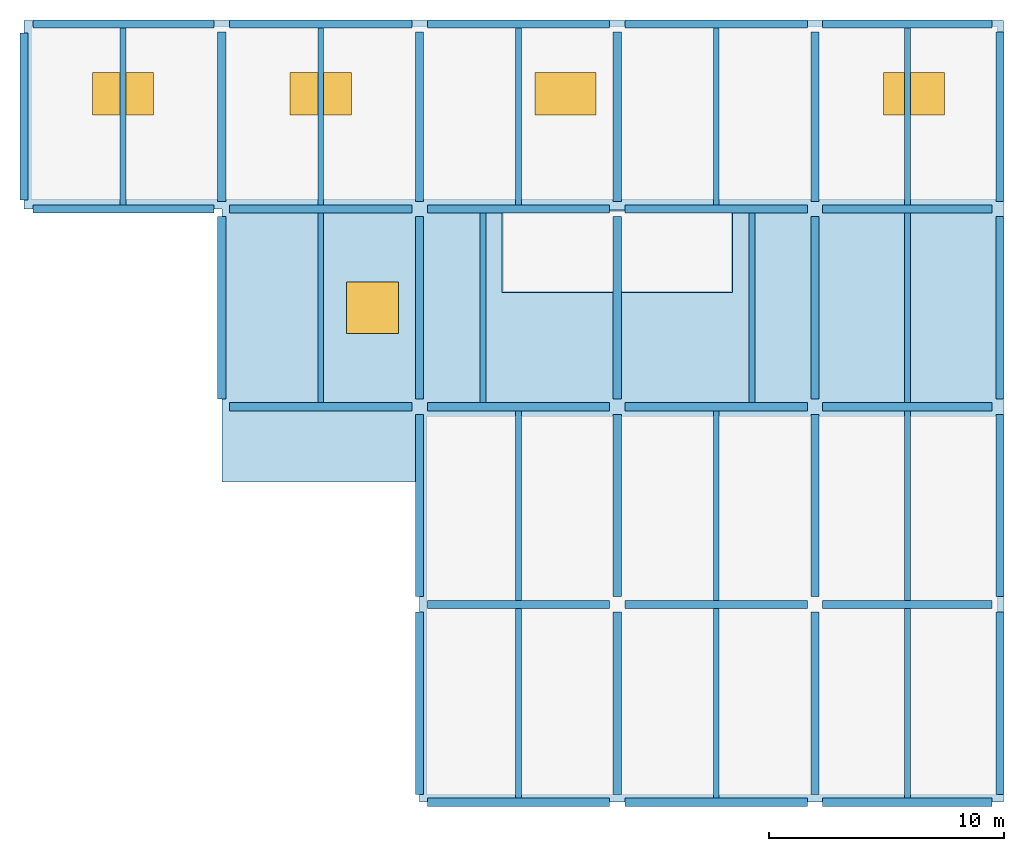
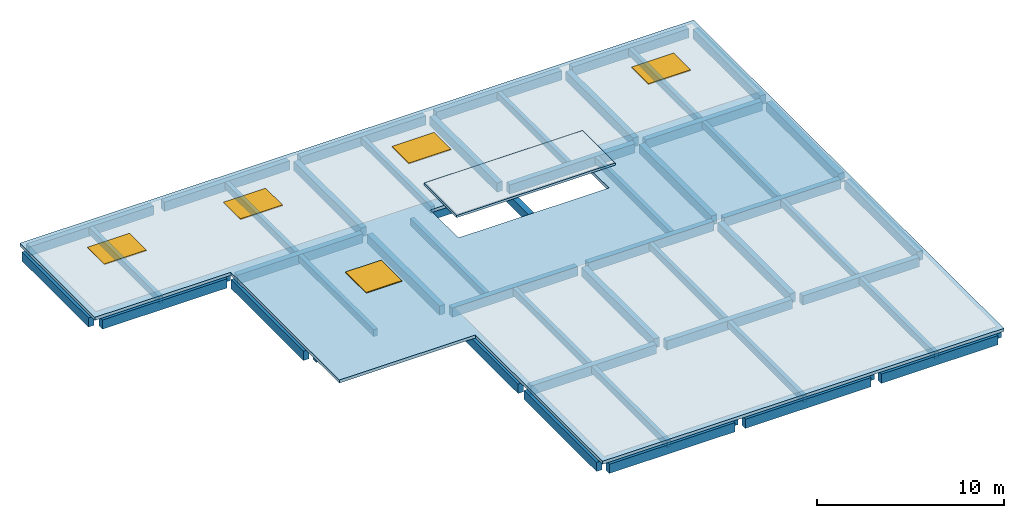
# One storey, part 1 of 2: 54 beams, 5 windows, 2 slabs, 5 openings, 1 element without a shape of its own.
"""IFC4 building model written with IfcOpenShell, lengths in metres."""

from ifc_helpers import new_model, si_unit, direction, frame, origin, origin_2d, place, context, subcontext, project, spatial, polyline, rectangle, outline, extrude, material, layer, layer_set, material_profile, profile_set, type_object, element, fill, aggregate, save


model = new_model("IFC4")

# Units and contexts
model_context = context("Model", 3, precision=1e-05, world=origin(), true_north=direction((0.0, 1.0)))
body_context = subcontext(model_context, "Body", "Model", "MODEL_VIEW")
ifc_project = project(units=[si_unit("LENGTHUNIT", "METRE"), si_unit("AREAUNIT", "SQUARE_METRE"), si_unit("VOLUMEUNIT", "CUBIC_METRE"), si_unit("PLANEANGLEUNIT", "RADIAN"), si_unit("MASSUNIT", "GRAM", prefix="KILO")], contexts=[model_context])

# Site, building, storey
site_placement = place(None, origin())
site = spatial("IfcSite", under=ifc_project, at=site_placement, CompositionType="ELEMENT")
building_placement = place(site_placement, origin())
building = spatial("IfcBuilding", under=site, at=building_placement, Name="Brinegate Botanical Conservatory", CompositionType="ELEMENT")
storey_placement = place(building_placement, frame((0.0, 0.0, 70.199951171875)))
storey = spatial("IfcBuildingStorey", under=building, at=storey_placement, Name="RF", CompositionType="ELEMENT", Elevation=70.199951171875)

# Beams
ifc_material_1 = material(Name="Concrete C40/50", Category="concrete")
ifc_material_profile_1 = material_profile(ifc_material_1, rectangle(XDim=0.35009765625, YDim=0.60009765625, at=origin_2d()), Name="RC BM 350x600")
ifc_profile_set_1 = profile_set([ifc_material_profile_1], Name="Concrete C40/50")
beam_type_1 = type_object("IfcBeamType", Name="Beam_BM-R1", PredefinedType="BEAM", material=ifc_profile_set_1)
for number, where, z_axis, x_axis, name in (
    (1, (139.125, 78.39990234375, -0.5), (1.0, 0.0, 0.0), (0.0, 1.0, 0.0), "Beam BM-R1 RF K:18-19"),
    (2, (147.52490234375, 78.39990234375, -0.5), (1.0, 0.0, 0.0), (0.0, 1.0, 0.0), "Beam BM-R1 RF K:19-20"),
):
    element("IfcBeam", number, at=place(storey_placement, frame(where, z_axis=z_axis, x_axis=x_axis)), inside=storey, type_object=beam_type_1, Name=name, PredefinedType="BEAM", context=body_context, shape_type="SweptSolid", body=[
        extrude(rectangle(XDim=0.35009765625, YDim=0.60009765625, at=origin_2d()), origin(), (0.0, 0.0, 1.0), 7.75),
    ])
beam_1_placement = place(storey_placement, frame((155.925048828125, 78.39990234375, -0.5), z_axis=(1.0, 0.0, 0.0), x_axis=(0.0, 1.0, 0.0)))
element("IfcBeam", 3, at=beam_1_placement, inside=storey, type_object=beam_type_1, Name="Beam BM-R1 RF K:20-21", PredefinedType="BEAM", context=body_context, shape_type="SweptSolid", body=[
    extrude(rectangle(XDim=0.35009765625, YDim=0.60009765625, at=origin_2d()), origin(), (0.0, 0.0, 1.0), 7.199951171875),
])
for number, where, z_axis, x_axis, name in (
    (4, (139.125, 86.800048828125, -0.5), (1.0, 0.0, 0.0), (0.0, 1.0, 0.0), "Beam BM-R1 RF L:18-19"),
    (5, (147.52490234375, 86.800048828125, -0.5), (1.0, 0.0, 0.0), (0.0, 1.0, 0.0), "Beam BM-R1 RF L:19-20"),
):
    element("IfcBeam", number, at=place(storey_placement, frame(where, z_axis=z_axis, x_axis=x_axis)), inside=storey, type_object=beam_type_1, Name=name, PredefinedType="BEAM", context=body_context, shape_type="SweptSolid", body=[
        extrude(rectangle(XDim=0.35009765625, YDim=0.60009765625, at=origin_2d()), origin(), (0.0, 0.0, 1.0), 7.75),
    ])
beam_2_placement = place(storey_placement, frame((155.925048828125, 86.800048828125, -0.5), z_axis=(1.0, 0.0, 0.0), x_axis=(0.0, 1.0, 0.0)))
element("IfcBeam", 6, at=beam_2_placement, inside=storey, type_object=beam_type_1, Name="Beam BM-R1 RF L:20-21", PredefinedType="BEAM", context=body_context, shape_type="SweptSolid", body=[
    extrude(rectangle(XDim=0.35009765625, YDim=0.60009765625, at=origin_2d()), origin(), (0.0, 0.0, 1.0), 7.199951171875),
])
for number, where, z_axis, x_axis, name in (
    (7, (130.72509765625, 95.199951171875, -0.5), (1.0, 0.0, 0.0), (0.0, 1.0, 0.0), "Beam BM-R1 RF M:17-18"),
    (8, (139.125, 95.199951171875, -0.5), (1.0, 0.0, 0.0), (0.0, 1.0, 0.0), "Beam BM-R1 RF M:18-19"),
    (9, (147.52490234375, 95.199951171875, -0.5), (1.0, 0.0, 0.0), (0.0, 1.0, 0.0), "Beam BM-R1 RF M:19-20"),
):
    element("IfcBeam", number, at=place(storey_placement, frame(where, z_axis=z_axis, x_axis=x_axis)), inside=storey, type_object=beam_type_1, Name=name, PredefinedType="BEAM", context=body_context, shape_type="SweptSolid", body=[
        extrude(rectangle(XDim=0.35009765625, YDim=0.60009765625, at=origin_2d()), origin(), (0.0, 0.0, 1.0), 7.75),
    ])
beam_3_placement = place(storey_placement, frame((155.925048828125, 95.199951171875, -0.5), z_axis=(1.0, 0.0, 0.0), x_axis=(0.0, 1.0, 0.0)))
element("IfcBeam", 10, at=beam_3_placement, inside=storey, type_object=beam_type_1, Name="Beam BM-R1 RF M:20-21", PredefinedType="BEAM", context=body_context, shape_type="SweptSolid", body=[
    extrude(rectangle(XDim=0.35009765625, YDim=0.60009765625, at=origin_2d()), origin(), (0.0, 0.0, 1.0), 7.199951171875),
])
beam_4_placement = place(storey_placement, frame((122.375, 103.60009765625, -0.5), z_axis=(1.0, 0.0, 0.0), x_axis=(0.0, 1.0, 0.0)))
element("IfcBeam", 11, at=beam_4_placement, inside=storey, type_object=beam_type_1, Name="Beam BM-R1 RF N:16-17", PredefinedType="BEAM", context=body_context, shape_type="SweptSolid", body=[
    extrude(rectangle(XDim=0.35009765625, YDim=0.60009765625, at=origin_2d()), origin(), (0.0, 0.0, 1.0), 7.699951171875),
])
for number, where, z_axis, x_axis, name in (
    (12, (130.72509765625, 103.60009765625, -0.5), (1.0, 0.0, 0.0), (0.0, 1.0, 0.0), "Beam BM-R1 RF N:17-18"),
    (13, (139.125, 103.60009765625, -0.5), (1.0, 0.0, 0.0), (0.0, 1.0, 0.0), "Beam BM-R1 RF N:18-19"),
    (14, (147.52490234375, 103.60009765625, -0.5), (1.0, 0.0, 0.0), (0.0, 1.0, 0.0), "Beam BM-R1 RF N:19-20"),
):
    element("IfcBeam", number, at=place(storey_placement, frame(where, z_axis=z_axis, x_axis=x_axis)), inside=storey, type_object=beam_type_1, Name=name, PredefinedType="BEAM", context=body_context, shape_type="SweptSolid", body=[
        extrude(rectangle(XDim=0.35009765625, YDim=0.60009765625, at=origin_2d()), origin(), (0.0, 0.0, 1.0), 7.75),
    ])
beam_5_placement = place(storey_placement, frame((155.925048828125, 103.60009765625, -0.5), z_axis=(1.0, 0.0, 0.0), x_axis=(0.0, 1.0, 0.0)))
element("IfcBeam", 15, at=beam_5_placement, inside=storey, type_object=beam_type_1, Name="Beam BM-R1 RF N:20-21", PredefinedType="BEAM", context=body_context, shape_type="SweptSolid", body=[
    extrude(rectangle(XDim=0.35009765625, YDim=0.60009765625, at=origin_2d()), origin(), (0.0, 0.0, 1.0), 7.199951171875),
])
beam_6_placement = place(storey_placement, frame((122.375, 111.449951171875, -0.5), z_axis=(1.0, 0.0, 0.0), x_axis=(0.0, 1.0, 0.0)))
element("IfcBeam", 16, at=beam_6_placement, inside=storey, type_object=beam_type_1, Name="Beam BM-R1 RF P:16-17", PredefinedType="BEAM", context=body_context, shape_type="SweptSolid", body=[
    extrude(rectangle(XDim=0.35009765625, YDim=0.60009765625, at=origin_2d()), origin(), (0.0, 0.0, 1.0), 7.699951171875),
])
for number, where, z_axis, x_axis, name in (
    (17, (130.72509765625, 111.449951171875, -0.5), (1.0, 0.0, 0.0), (0.0, 1.0, 0.0), "Beam BM-R1 RF P:17-18"),
    (18, (139.125, 111.449951171875, -0.5), (1.0, 0.0, 0.0), (0.0, 1.0, 0.0), "Beam BM-R1 RF P:18-19"),
    (19, (147.52490234375, 111.449951171875, -0.5), (1.0, 0.0, 0.0), (0.0, 1.0, 0.0), "Beam BM-R1 RF P:19-20"),
):
    element("IfcBeam", number, at=place(storey_placement, frame(where, z_axis=z_axis, x_axis=x_axis)), inside=storey, type_object=beam_type_1, Name=name, PredefinedType="BEAM", context=body_context, shape_type="SweptSolid", body=[
        extrude(rectangle(XDim=0.35009765625, YDim=0.60009765625, at=origin_2d()), origin(), (0.0, 0.0, 1.0), 7.75),
    ])
beam_7_placement = place(storey_placement, frame((155.925048828125, 111.449951171875, -0.5), z_axis=(1.0, 0.0, 0.0), x_axis=(0.0, 1.0, 0.0)))
element("IfcBeam", 20, at=beam_7_placement, inside=storey, type_object=beam_type_1, Name="Beam BM-R1 RF P:20-21", PredefinedType="BEAM", context=body_context, shape_type="SweptSolid", body=[
    extrude(rectangle(XDim=0.35009765625, YDim=0.60009765625, at=origin_2d()), origin(), (0.0, 0.0, 1.0), 7.199951171875),
])
beam_8_placement = place(storey_placement, frame((122.0, 103.97509765625, -0.5), z_axis=(0.0, 1.0, 0.0), x_axis=(-1.0, 0.0, 0.0)))
element("IfcBeam", 21, at=beam_8_placement, inside=storey, type_object=beam_type_1, Name="Beam BM-R1 RF 16:N-P", PredefinedType="BEAM", context=body_context, shape_type="SweptSolid", body=[
    extrude(rectangle(XDim=0.35009765625, YDim=0.60009765625, at=origin_2d()), origin(), (0.0, 0.0, 1.0), 7.099853515625),
])
beam_9_placement = place(storey_placement, frame((130.39990234375, 95.52490234375, -0.5), z_axis=(0.0, 1.0, 0.0), x_axis=(-1.0, 0.0, 0.0)))
element("IfcBeam", 22, at=beam_9_placement, inside=storey, type_object=beam_type_1, Name="Beam BM-R1 RF 17:M-N", PredefinedType="BEAM", context=body_context, shape_type="SweptSolid", body=[
    extrude(rectangle(XDim=0.35009765625, YDim=0.60009765625, at=origin_2d()), origin(), (0.0, 0.0, 1.0), 7.75),
])
beam_10_placement = place(storey_placement, frame((130.39990234375, 103.925048828125, -0.5), z_axis=(0.0, 1.0, 0.0), x_axis=(-1.0, 0.0, 0.0)))
element("IfcBeam", 23, at=beam_10_placement, inside=storey, type_object=beam_type_1, Name="Beam BM-R1 RF 17:N-P", PredefinedType="BEAM", context=body_context, shape_type="SweptSolid", body=[
    extrude(rectangle(XDim=0.35009765625, YDim=0.60009765625, at=origin_2d()), origin(), (0.0, 0.0, 1.0), 7.199951171875),
])
for number, where, z_axis, x_axis, name in (
    (24, (138.800048828125, 78.72509765625, -0.5), (0.0, 1.0, 0.0), (-1.0, 0.0, 0.0), "Beam BM-R1 RF 18:K-L"),
    (25, (138.800048828125, 87.125, -0.5), (0.0, 1.0, 0.0), (-1.0, 0.0, 0.0), "Beam BM-R1 RF 18:L-M"),
    (26, (138.800048828125, 95.52490234375, -0.5), (0.0, 1.0, 0.0), (-1.0, 0.0, 0.0), "Beam BM-R1 RF 18:M-N"),
):
    element("IfcBeam", number, at=place(storey_placement, frame(where, z_axis=z_axis, x_axis=x_axis)), inside=storey, type_object=beam_type_1, Name=name, PredefinedType="BEAM", context=body_context, shape_type="SweptSolid", body=[
        extrude(rectangle(XDim=0.35009765625, YDim=0.60009765625, at=origin_2d()), origin(), (0.0, 0.0, 1.0), 7.75),
    ])
beam_11_placement = place(storey_placement, frame((138.800048828125, 103.925048828125, -0.5), z_axis=(0.0, 1.0, 0.0), x_axis=(-1.0, 0.0, 0.0)))
element("IfcBeam", 27, at=beam_11_placement, inside=storey, type_object=beam_type_1, Name="Beam BM-R1 RF 18:N-P", PredefinedType="BEAM", context=body_context, shape_type="SweptSolid", body=[
    extrude(rectangle(XDim=0.35009765625, YDim=0.60009765625, at=origin_2d()), origin(), (0.0, 0.0, 1.0), 7.199951171875),
])
for number, where, z_axis, x_axis, name in (
    (28, (147.199951171875, 78.72509765625, -0.5), (0.0, 1.0, 0.0), (-1.0, 0.0, 0.0), "Beam BM-R1 RF 19:K-L"),
    (29, (147.199951171875, 87.125, -0.5), (0.0, 1.0, 0.0), (-1.0, 0.0, 0.0), "Beam BM-R1 RF 19:L-M"),
    (30, (147.199951171875, 95.52490234375, -0.5), (0.0, 1.0, 0.0), (-1.0, 0.0, 0.0), "Beam BM-R1 RF 19:M-N"),
):
    element("IfcBeam", number, at=place(storey_placement, frame(where, z_axis=z_axis, x_axis=x_axis)), inside=storey, type_object=beam_type_1, Name=name, PredefinedType="BEAM", context=body_context, shape_type="SweptSolid", body=[
        extrude(rectangle(XDim=0.35009765625, YDim=0.60009765625, at=origin_2d()), origin(), (0.0, 0.0, 1.0), 7.75),
    ])
beam_12_placement = place(storey_placement, frame((147.199951171875, 103.925048828125, -0.5), z_axis=(0.0, 1.0, 0.0), x_axis=(-1.0, 0.0, 0.0)))
element("IfcBeam", 31, at=beam_12_placement, inside=storey, type_object=beam_type_1, Name="Beam BM-R1 RF 19:N-P", PredefinedType="BEAM", context=body_context, shape_type="SweptSolid", body=[
    extrude(rectangle(XDim=0.35009765625, YDim=0.60009765625, at=origin_2d()), origin(), (0.0, 0.0, 1.0), 7.199951171875),
])
for number, where, z_axis, x_axis, name in (
    (32, (155.60009765625, 78.72509765625, -0.5), (0.0, 1.0, 0.0), (-1.0, 0.0, 0.0), "Beam BM-R1 RF 20:K-L"),
    (33, (155.60009765625, 87.125, -0.5), (0.0, 1.0, 0.0), (-1.0, 0.0, 0.0), "Beam BM-R1 RF 20:L-M"),
    (34, (155.60009765625, 95.52490234375, -0.5), (0.0, 1.0, 0.0), (-1.0, 0.0, 0.0), "Beam BM-R1 RF 20:M-N"),
):
    element("IfcBeam", number, at=place(storey_placement, frame(where, z_axis=z_axis, x_axis=x_axis)), inside=storey, type_object=beam_type_1, Name=name, PredefinedType="BEAM", context=body_context, shape_type="SweptSolid", body=[
        extrude(rectangle(XDim=0.35009765625, YDim=0.60009765625, at=origin_2d()), origin(), (0.0, 0.0, 1.0), 7.75),
    ])
beam_13_placement = place(storey_placement, frame((155.60009765625, 103.925048828125, -0.5), z_axis=(0.0, 1.0, 0.0), x_axis=(-1.0, 0.0, 0.0)))
element("IfcBeam", 35, at=beam_13_placement, inside=storey, type_object=beam_type_1, Name="Beam BM-R1 RF 20:N-P", PredefinedType="BEAM", context=body_context, shape_type="SweptSolid", body=[
    extrude(rectangle(XDim=0.35009765625, YDim=0.60009765625, at=origin_2d()), origin(), (0.0, 0.0, 1.0), 7.199951171875),
])
for number, where, z_axis, x_axis, name in (
    (36, (163.449951171875, 78.72509765625, -0.5), (0.0, 1.0, 0.0), (-1.0, 0.0, 0.0), "Beam BM-R1 RF 21:K-L"),
    (37, (163.449951171875, 87.125, -0.5), (0.0, 1.0, 0.0), (-1.0, 0.0, 0.0), "Beam BM-R1 RF 21:L-M"),
    (38, (163.449951171875, 95.52490234375, -0.5), (0.0, 1.0, 0.0), (-1.0, 0.0, 0.0), "Beam BM-R1 RF 21:M-N"),
):
    element("IfcBeam", number, at=place(storey_placement, frame(where, z_axis=z_axis, x_axis=x_axis)), inside=storey, type_object=beam_type_1, Name=name, PredefinedType="BEAM", context=body_context, shape_type="SweptSolid", body=[
        extrude(rectangle(XDim=0.35009765625, YDim=0.60009765625, at=origin_2d()), origin(), (0.0, 0.0, 1.0), 7.75),
    ])
beam_14_placement = place(storey_placement, frame((163.449951171875, 103.925048828125, -0.5), z_axis=(0.0, 1.0, 0.0), x_axis=(-1.0, 0.0, 0.0)))
element("IfcBeam", 39, at=beam_14_placement, inside=storey, type_object=beam_type_1, Name="Beam BM-R1 RF 21:N-P", PredefinedType="BEAM", context=body_context, shape_type="SweptSolid", body=[
    extrude(rectangle(XDim=0.35009765625, YDim=0.60009765625, at=origin_2d()), origin(), (0.0, 0.0, 1.0), 7.199951171875),
])
ifc_material_profile_2 = material_profile(ifc_material_1, rectangle(XDim=0.25, YDim=0.449951171875, at=origin_2d()), Name="RC JST 250x450")
ifc_profile_set_2 = profile_set([ifc_material_profile_2], Name="Concrete C40/50")
beam_type_2 = type_object("IfcBeamType", Name="Beam_JS-C3", PredefinedType="JOIST", material=ifc_profile_set_2)
beam_15_placement = place(storey_placement, frame((126.199951171875, 103.77490234375, -0.425048828125), z_axis=(0.0, 1.0, 0.0), x_axis=(-1.0, 0.0, 0.0)))
element("IfcBeam", 40, at=beam_15_placement, inside=storey, type_object=beam_type_2, Name="Floor joist JS-C3 RF bay 16.13", PredefinedType="JOIST", context=body_context, shape_type="SweptSolid", body=[
    extrude(rectangle(XDim=0.25, YDim=0.449951171875, at=origin_2d()), origin(), (0.0, 0.0, 1.0), 7.5),
])
beam_16_placement = place(storey_placement, frame((134.60009765625, 95.375, -0.425048828125), z_axis=(0.0, 1.0, 0.0), x_axis=(-1.0, 0.0, 0.0)))
element("IfcBeam", 41, at=beam_16_placement, inside=storey, type_object=beam_type_2, Name="Floor joist JS-C3 RF bay 17.12", PredefinedType="JOIST", context=body_context, shape_type="SweptSolid", body=[
    extrude(rectangle(XDim=0.25, YDim=0.449951171875, at=origin_2d()), origin(), (0.0, 0.0, 1.0), 8.050048828125),
])
beam_17_placement = place(storey_placement, frame((134.60009765625, 103.77490234375, -0.425048828125), z_axis=(0.0, 1.0, 0.0), x_axis=(-1.0, 0.0, 0.0)))
element("IfcBeam", 42, at=beam_17_placement, inside=storey, type_object=beam_type_2, Name="Floor joist JS-C3 RF bay 17.13", PredefinedType="JOIST", context=body_context, shape_type="SweptSolid", body=[
    extrude(rectangle(XDim=0.25, YDim=0.449951171875, at=origin_2d()), origin(), (0.0, 0.0, 1.0), 7.5),
])
beam_18_placement = place(storey_placement, frame((143.0, 78.574951171875, -0.425048828125), z_axis=(0.0, 1.0, 0.0), x_axis=(-1.0, 0.0, 0.0)))
element("IfcBeam", 43, at=beam_18_placement, inside=storey, type_object=beam_type_2, Name="Floor joist JS-C3 RF bay 18.10", PredefinedType="JOIST", context=body_context, shape_type="SweptSolid", body=[
    extrude(rectangle(XDim=0.25, YDim=0.449951171875, at=origin_2d()), origin(), (0.0, 0.0, 1.0), 8.050048828125),
])
beam_19_placement = place(storey_placement, frame((143.0, 86.97509765625, -0.425048828125), z_axis=(0.0, 1.0, 0.0), x_axis=(-1.0, 0.0, 0.0)))
element("IfcBeam", 44, at=beam_19_placement, inside=storey, type_object=beam_type_2, Name="Floor joist JS-C3 RF bay 18.11", PredefinedType="JOIST", context=body_context, shape_type="SweptSolid", body=[
    extrude(rectangle(XDim=0.25, YDim=0.449951171875, at=origin_2d()), origin(), (0.0, 0.0, 1.0), 8.0498046875),
])
beam_20_placement = place(storey_placement, frame((141.488037109375, 95.375, -0.425048828125), z_axis=(0.0, 1.0, 0.0), x_axis=(-1.0, 0.0, 0.0)))
element("IfcBeam", 45, at=beam_20_placement, inside=storey, type_object=beam_type_2, Name="Floor joist JS-C3 RF bay 18.12", PredefinedType="JOIST", context=body_context, shape_type="SweptSolid", body=[
    extrude(rectangle(XDim=0.25, YDim=0.449951171875, at=origin_2d()), origin(), (0.0, 0.0, 1.0), 8.050048828125),
])
beam_21_placement = place(storey_placement, frame((143.0, 103.77490234375, -0.425048828125), z_axis=(0.0, 1.0, 0.0), x_axis=(-1.0, 0.0, 0.0)))
element("IfcBeam", 46, at=beam_21_placement, inside=storey, type_object=beam_type_2, Name="Floor joist JS-C3 RF bay 18.13", PredefinedType="JOIST", context=body_context, shape_type="SweptSolid", body=[
    extrude(rectangle(XDim=0.25, YDim=0.449951171875, at=origin_2d()), origin(), (0.0, 0.0, 1.0), 7.5),
])
beam_22_placement = place(storey_placement, frame((151.39990234375, 78.574951171875, -0.425048828125), z_axis=(0.0, 1.0, 0.0), x_axis=(-1.0, 0.0, 0.0)))
element("IfcBeam", 47, at=beam_22_placement, inside=storey, type_object=beam_type_2, Name="Floor joist JS-C3 RF bay 19.10", PredefinedType="JOIST", context=body_context, shape_type="SweptSolid", body=[
    extrude(rectangle(XDim=0.25, YDim=0.449951171875, at=origin_2d()), origin(), (0.0, 0.0, 1.0), 8.050048828125),
])
beam_23_placement = place(storey_placement, frame((151.39990234375, 86.97509765625, -0.425048828125), z_axis=(0.0, 1.0, 0.0), x_axis=(-1.0, 0.0, 0.0)))
element("IfcBeam", 48, at=beam_23_placement, inside=storey, type_object=beam_type_2, Name="Floor joist JS-C3 RF bay 19.11", PredefinedType="JOIST", context=body_context, shape_type="SweptSolid", body=[
    extrude(rectangle(XDim=0.25, YDim=0.449951171875, at=origin_2d()), origin(), (0.0, 0.0, 1.0), 8.0498046875),
])
beam_24_placement = place(storey_placement, frame((152.912109375, 95.375, -0.425048828125), z_axis=(0.0, 1.0, 0.0), x_axis=(-1.0, 0.0, 0.0)))
element("IfcBeam", 49, at=beam_24_placement, inside=storey, type_object=beam_type_2, Name="Floor joist JS-C3 RF bay 19.12", PredefinedType="JOIST", context=body_context, shape_type="SweptSolid", body=[
    extrude(rectangle(XDim=0.25, YDim=0.449951171875, at=origin_2d()), origin(), (0.0, 0.0, 1.0), 8.050048828125),
])
beam_25_placement = place(storey_placement, frame((151.39990234375, 103.77490234375, -0.425048828125), z_axis=(0.0, 1.0, 0.0), x_axis=(-1.0, 0.0, 0.0)))
element("IfcBeam", 50, at=beam_25_placement, inside=storey, type_object=beam_type_2, Name="Floor joist JS-C3 RF bay 19.13", PredefinedType="JOIST", context=body_context, shape_type="SweptSolid", body=[
    extrude(rectangle(XDim=0.25, YDim=0.449951171875, at=origin_2d()), origin(), (0.0, 0.0, 1.0), 7.5),
])
beam_26_placement = place(storey_placement, frame((159.52490234375, 78.574951171875, -0.425048828125), z_axis=(0.0, 1.0, 0.0), x_axis=(-1.0, 0.0, 0.0)))
element("IfcBeam", 51, at=beam_26_placement, inside=storey, type_object=beam_type_2, Name="Floor joist JS-C3 RF bay 20.10", PredefinedType="JOIST", context=body_context, shape_type="SweptSolid", body=[
    extrude(rectangle(XDim=0.25, YDim=0.449951171875, at=origin_2d()), origin(), (0.0, 0.0, 1.0), 8.050048828125),
])
beam_27_placement = place(storey_placement, frame((159.52490234375, 86.97509765625, -0.425048828125), z_axis=(0.0, 1.0, 0.0), x_axis=(-1.0, 0.0, 0.0)))
element("IfcBeam", 52, at=beam_27_placement, inside=storey, type_object=beam_type_2, Name="Floor joist JS-C3 RF bay 20.11", PredefinedType="JOIST", context=body_context, shape_type="SweptSolid", body=[
    extrude(rectangle(XDim=0.25, YDim=0.449951171875, at=origin_2d()), origin(), (0.0, 0.0, 1.0), 8.0498046875),
])
beam_28_placement = place(storey_placement, frame((159.52490234375, 95.375, -0.425048828125), z_axis=(0.0, 1.0, 0.0), x_axis=(-1.0, 0.0, 0.0)))
element("IfcBeam", 53, at=beam_28_placement, inside=storey, type_object=beam_type_2, Name="Floor joist JS-C3 RF bay 20.12", PredefinedType="JOIST", context=body_context, shape_type="SweptSolid", body=[
    extrude(rectangle(XDim=0.25, YDim=0.449951171875, at=origin_2d()), origin(), (0.0, 0.0, 1.0), 8.050048828125),
])
beam_29_placement = place(storey_placement, frame((159.52490234375, 103.77490234375, -0.425048828125), z_axis=(0.0, 1.0, 0.0), x_axis=(-1.0, 0.0, 0.0)))
element("IfcBeam", 54, at=beam_29_placement, inside=storey, type_object=beam_type_2, Name="Floor joist JS-C3 RF bay 20.13", PredefinedType="JOIST", context=body_context, shape_type="SweptSolid", body=[
    extrude(rectangle(XDim=0.25, YDim=0.449951171875, at=origin_2d()), origin(), (0.0, 0.0, 1.0), 7.5),
])

# Roof, slabs, openings, windows
roof_type = type_object("IfcRoofType", Name="Roof_FLAT", PredefinedType="FLAT_ROOF", material=ifc_material_1)
roof_placement = place(storey_placement, origin())
roof = element("IfcRoof", 55, at=roof_placement, inside=storey, type_object=roof_type, Name="Research Tower flat roof assembly", PredefinedType="FLAT_ROOF")
ifc_layer_1 = layer(ifc_material_1, 0.14990234375, Name="Concrete C40/50", Category="concrete")
ifc_layer_set_1 = layer_set([ifc_layer_1], Name="Concrete C40/50")
slab_type_1 = type_object("IfcSlabType", Name="Slab_SL-RF150", PredefinedType="ROOF", material=ifc_layer_set_1)
slab_1_placement = place(storey_placement, frame((0.0, 0.0, 1.550048828125)))
slab_1 = element("IfcSlab", 56, at=slab_1_placement, type_object=slab_type_1, Name="Tower core lift-overrun penthouse roof slab", PredefinedType="ROOF", context=body_context, shape_type="SweptSolid", body=[
    extrude(outline(polyline([(142.300048828125, 100.050048828125), (152.10009765625, 100.050048828125), (152.10009765625, 103.550048828125), (142.300048828125, 103.550048828125), (142.300048828125, 100.050048828125)])), origin(), (0.0, 0.0, 1.0), 0.14990234375),
])
ifc_layer_2 = layer(ifc_material_1, 0.199951171875, Name="Concrete C40/50", Category="concrete")
ifc_layer_set_2 = layer_set([ifc_layer_2], Name="Concrete C40/50")
slab_type_2 = type_object("IfcSlabType", Name="Slab_SL-RF200", PredefinedType="ROOF", material=ifc_layer_set_2)
slab_2_placement = place(storey_placement, frame((0.0, 0.0, -0.199951171875)))
slab_2 = element("IfcSlab", 57, at=slab_2_placement, type_object=slab_type_2, Name="Research Tower RF main roof slab", PredefinedType="ROOF", context=body_context, shape_type="SweptSolid", body=[
    extrude(outline(polyline([(138.800048828125, 78.39990234375), (163.60009765625, 78.39990234375), (163.60009765625, 111.60009765625), (122.0, 111.60009765625), (122.0, 103.60009765625), (130.39990234375, 103.60009765625), (130.39990234375, 92.0), (138.800048828125, 92.0), (138.800048828125, 78.39990234375)]), holes=[polyline([(142.550048828125, 100.300048828125), (151.85009765625, 100.300048828125), (151.85009765625, 103.300048828125), (142.550048828125, 103.300048828125), (142.550048828125, 100.300048828125)])]), origin(), (0.0, 0.0, 1.0), 0.199951171875),
])
opening_1_placement = place(slab_2_placement, frame((136.800048828125, 99.39990234375, -0.010009765625)))
opening_1 = element("IfcOpeningElement", 58, at=opening_1_placement, cuts=slab_2, Name="Opening SK-01", PredefinedType="OPENING", context=body_context, shape_type="SweptSolid", body=[
    extrude(rectangle(XDim=2.199951171875, YDim=2.199951171875, at=origin_2d()), origin(), (0.0, 0.0, 1.0), 0.27001953125),
])
opening_2_placement = place(slab_2_placement, frame((126.199951171875, 108.5, -0.010009765625)))
opening_2 = element("IfcOpeningElement", 59, at=opening_2_placement, cuts=slab_2, Name="Opening SK-02", PredefinedType="OPENING", context=body_context, shape_type="SweptSolid", body=[
    extrude(rectangle(XDim=2.60009765625, YDim=1.800048828125, at=origin_2d()), origin(), (0.0, 0.0, 1.0), 0.27001953125),
])
opening_3_placement = place(slab_2_placement, frame((134.60009765625, 108.5, -0.010009765625)))
opening_3 = element("IfcOpeningElement", 60, at=opening_3_placement, cuts=slab_2, Name="Opening SK-02", PredefinedType="OPENING", context=body_context, shape_type="SweptSolid", body=[
    extrude(rectangle(XDim=2.60009765625, YDim=1.800048828125, at=origin_2d()), origin(), (0.0, 0.0, 1.0), 0.27001953125),
])
opening_4_placement = place(slab_2_placement, frame((145.0, 108.5, -0.010009765625)))
opening_4 = element("IfcOpeningElement", 61, at=opening_4_placement, cuts=slab_2, Name="Opening SK-02", PredefinedType="OPENING", context=body_context, shape_type="SweptSolid", body=[
    extrude(rectangle(XDim=2.60009765625, YDim=1.800048828125, at=origin_2d()), origin(), (0.0, 0.0, 1.0), 0.27001953125),
])
opening_5_placement = place(slab_2_placement, frame((159.800048828125, 108.5, -0.010009765625)))
opening_5 = element("IfcOpeningElement", 62, at=opening_5_placement, cuts=slab_2, Name="Opening SK-02", PredefinedType="OPENING", context=body_context, shape_type="SweptSolid", body=[
    extrude(rectangle(XDim=2.60009765625, YDim=1.800048828125, at=origin_2d()), origin(), (0.0, 0.0, 1.0), 0.27001953125),
])
ifc_material_2 = material(Name="Thermally broken aluminium-framed Low-E glass", Category="aluminium")
window_type_1 = type_object("IfcWindowType", Name="Win_SK-01", PartitioningType="SINGLE_PANEL", PredefinedType="SKYLIGHT", material=ifc_material_2)
window_1_placement = place(slab_2_placement, frame((136.800048828125, 99.39990234375, 0.199951171875)))
window_1 = element("IfcWindow", 63, at=window_1_placement, inside=storey, type_object=window_type_1, Name="Tower roof maintenance skylight hatch", OverallHeight=2.199951171875, OverallWidth=2.199951171875, PartitioningType="SINGLE_PANEL", PredefinedType="SKYLIGHT", context=body_context, shape_type="SweptSolid", body=[
    extrude(rectangle(XDim=2.199951171875, YDim=2.199951171875, at=origin_2d()), origin(), (0.0, 0.0, 1.0), 0.050048828125),
])
fill(opening_1, window_1)
window_type_2 = type_object("IfcWindowType", Name="Win_SK-02", PartitioningType="SINGLE_PANEL", PredefinedType="SKYLIGHT", material=ifc_material_2)
window_2_placement = place(slab_2_placement, frame((126.199951171875, 108.5, 0.199951171875)))
window_2 = element("IfcWindow", 64, at=window_2_placement, inside=storey, type_object=window_type_2, Name="Observatory daylight skylight 1", OverallHeight=1.800048828125, OverallWidth=2.60009765625, PartitioningType="SINGLE_PANEL", PredefinedType="SKYLIGHT", context=body_context, shape_type="SweptSolid", body=[
    extrude(rectangle(XDim=2.60009765625, YDim=1.800048828125, at=origin_2d()), origin(), (0.0, 0.0, 1.0), 0.050048828125),
])
fill(opening_2, window_2)
window_3_placement = place(slab_2_placement, frame((134.60009765625, 108.5, 0.199951171875)))
window_3 = element("IfcWindow", 65, at=window_3_placement, inside=storey, type_object=window_type_2, Name="Observatory daylight skylight 2", OverallHeight=1.800048828125, OverallWidth=2.60009765625, PartitioningType="SINGLE_PANEL", PredefinedType="SKYLIGHT", context=body_context, shape_type="SweptSolid", body=[
    extrude(rectangle(XDim=2.60009765625, YDim=1.800048828125, at=origin_2d()), origin(), (0.0, 0.0, 1.0), 0.050048828125),
])
fill(opening_3, window_3)
window_4_placement = place(slab_2_placement, frame((145.0, 108.5, 0.199951171875)))
window_4 = element("IfcWindow", 66, at=window_4_placement, inside=storey, type_object=window_type_2, Name="Observatory daylight skylight 3", OverallHeight=1.800048828125, OverallWidth=2.60009765625, PartitioningType="SINGLE_PANEL", PredefinedType="SKYLIGHT", context=body_context, shape_type="SweptSolid", body=[
    extrude(rectangle(XDim=2.60009765625, YDim=1.800048828125, at=origin_2d()), origin(), (0.0, 0.0, 1.0), 0.050048828125),
])
fill(opening_4, window_4)
window_5_placement = place(slab_2_placement, frame((159.800048828125, 108.5, 0.199951171875)))
window_5 = element("IfcWindow", 67, at=window_5_placement, inside=storey, type_object=window_type_2, Name="Observatory daylight skylight 4", OverallHeight=1.800048828125, OverallWidth=2.60009765625, PartitioningType="SINGLE_PANEL", PredefinedType="SKYLIGHT", context=body_context, shape_type="SweptSolid", body=[
    extrude(rectangle(XDim=2.60009765625, YDim=1.800048828125, at=origin_2d()), origin(), (0.0, 0.0, 1.0), 0.050048828125),
])
fill(opening_5, window_5)
aggregate(roof, [slab_2, slab_1])

save(model, "model.ifc")
